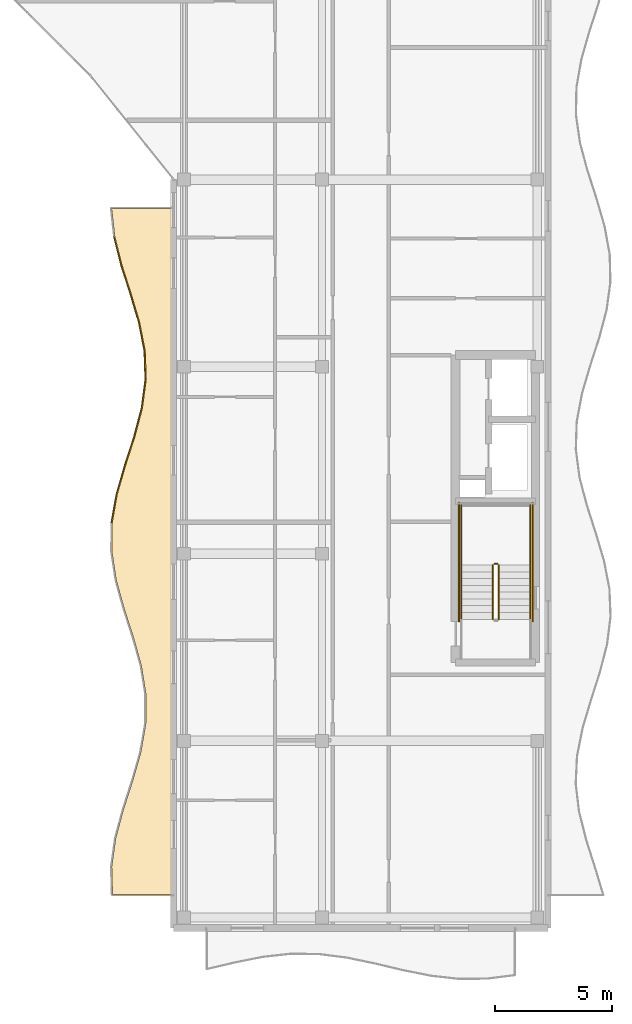
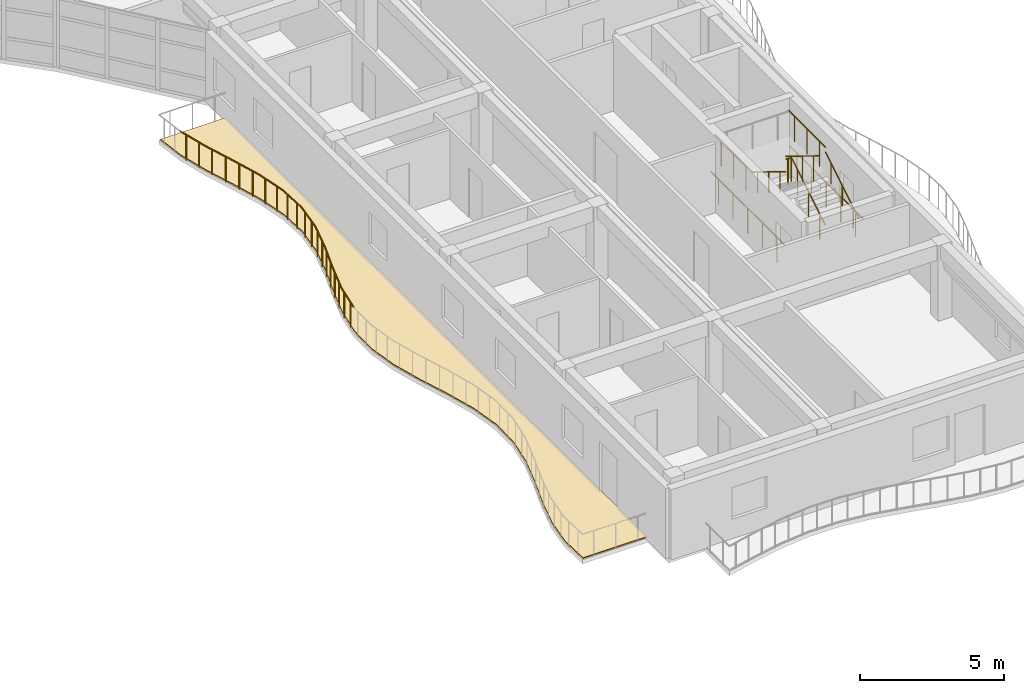
# One storey, part 63 of 68: 19 railings, 1 covering.
"""IFC4 building model written with IfcOpenShell, lengths in metres."""

from ifc_helpers import new_model, si_unit, direction, frame, origin, origin_2d, place, context, subcontext, project, spatial, polyline, circle, outline, extrude, material, layer, layer_set, type_object, element, save


model = new_model("IFC4")

# Units and contexts
model_context = context("Model", 3, precision=1e-05, world=origin(), true_north=direction((0.0, 1.0)))
body_context = subcontext(model_context, "Body", "Model", "MODEL_VIEW")
ifc_project = project(units=[si_unit("LENGTHUNIT", "METRE"), si_unit("AREAUNIT", "SQUARE_METRE"), si_unit("VOLUMEUNIT", "CUBIC_METRE"), si_unit("PLANEANGLEUNIT", "RADIAN"), si_unit("MASSUNIT", "GRAM", prefix="KILO")], contexts=[model_context])

# Site, building, storey
site_placement = place(None, origin())
site = spatial("IfcSite", under=ifc_project, at=site_placement, CompositionType="ELEMENT")
building_placement = place(site_placement, origin())
building = spatial("IfcBuilding", under=site, at=building_placement, Name="Keldmere Railside Commons", CompositionType="ELEMENT")
storey_placement = place(building_placement, frame((0.0, 0.0, 23.360107421875)))
storey = spatial("IfcBuildingStorey", under=building, at=storey_placement, Name="L07", CompositionType="ELEMENT", Elevation=23.360107421875)

# Railings
ifc_material_1 = material(Name="Steel F-24 (S235)", Category="steel")
railing_type_1 = type_object("IfcRailingType", Name="Balcony & Terrace Steel Balustrade 1100", PredefinedType="BALUSTRADE", material=ifc_material_1)
railing_1_placement = place(storey_placement, frame((165.336181640625, 73.324951171875, 0.0)))
element("IfcRailing", 1, at=railing_1_placement, inside=storey, type_object=railing_type_1, Name="GR-1 GRD-L07-3999", PredefinedType="BALUSTRADE", context=body_context, shape_type="SweptSolid", body=[
    extrude(circle(Radius=0.02392578125, at=origin_2d()), frame((0.0, 0.0, 1.076171875), z_axis=(0.174065199888, 0.984734129696, 0.0), x_axis=(-0.984734129696, 0.174065199888, 0.0)), (0.0, 0.0, 1.0), 1.244140625),
    extrude(circle(Radius=0.02099609375, at=origin_2d()), frame((0.05419921875, 0.30615234375, 0.0)), (0.0, 0.0, 1.0), 1.048095703125),
    extrude(circle(Radius=0.02099609375, at=origin_2d()), frame((0.162353515625, 0.9189453125, 0.0)), (0.0, 0.0, 1.0), 1.048095703125),
])
railing_2_placement = place(storey_placement, frame((165.552734375, 74.550048828125, 0.0)))
element("IfcRailing", 2, at=railing_2_placement, inside=storey, type_object=railing_type_1, Name="GR-1 GRD-L07-4000", PredefinedType="BALUSTRADE", context=body_context, shape_type="SweptSolid", body=[
    extrude(circle(Radius=0.02392578125, at=origin_2d()), frame((0.0, 0.0, 1.076171875), z_axis=(0.278713379185, 0.96037432924, 0.0), x_axis=(-0.96037432924, 0.278713379185, 0.0)), (0.0, 0.0, 1.0), 1.275390625),
    extrude(circle(Radius=0.02099609375, at=origin_2d()), frame((0.0888671875, 0.30615234375, 0.0)), (0.0, 0.0, 1.0), 1.048095703125),
    extrude(circle(Radius=0.02099609375, at=origin_2d()), frame((0.2666015625, 0.918701171875, 0.0)), (0.0, 0.0, 1.0), 1.048095703125),
])
railing_3_placement = place(storey_placement, frame((165.908203125, 75.77490234375, 0.0)))
element("IfcRailing", 3, at=railing_3_placement, inside=storey, type_object=railing_type_1, Name="GR-1 GRD-L07-4001", PredefinedType="BALUSTRADE", context=body_context, shape_type="SweptSolid", body=[
    extrude(circle(Radius=0.02392578125, at=origin_2d()), frame((0.0, 0.0, 1.076171875), z_axis=(0.306709041772, 0.951803321961, 0.0), x_axis=(-0.951803321961, 0.306709041772, 0.0)), (0.0, 0.0, 1.0), 1.287109375),
    extrude(circle(Radius=0.02099609375, at=origin_2d()), frame((0.0986328125, 0.30615234375, 0.0)), (0.0, 0.0, 1.0), 1.048095703125),
    extrude(circle(Radius=0.02099609375, at=origin_2d()), frame((0.296142578125, 0.9189453125, 0.0)), (0.0, 0.0, 1.0), 1.048095703125),
])
railing_4_placement = place(storey_placement, frame((166.302978515625, 77.0, 0.0)))
element("IfcRailing", 4, at=railing_4_placement, inside=storey, type_object=railing_type_1, Name="GR-1 GRD-L07-4002", PredefinedType="BALUSTRADE", context=body_context, shape_type="SweptSolid", body=[
    extrude(circle(Radius=0.02392578125, at=origin_2d()), frame((0.0, 0.0, 1.076171875), z_axis=(0.256019635632, 0.96667158134, 0.0), x_axis=(-0.96667158134, 0.256019635632, 0.0)), (0.0, 0.0, 1.0), 1.267333984375),
    extrude(circle(Radius=0.02099609375, at=origin_2d()), frame((0.0810546875, 0.30615234375, 0.0)), (0.0, 0.0, 1.0), 1.048095703125),
    extrude(circle(Radius=0.02099609375, at=origin_2d()), frame((0.243408203125, 0.9189453125, 0.0)), (0.0, 0.0, 1.0), 1.048095703125),
])
railing_5_placement = place(storey_placement, frame((166.62744140625, 78.22509765625, 0.0)))
element("IfcRailing", 5, at=railing_5_placement, inside=storey, type_object=railing_type_1, Name="GR-1 GRD-L07-4003", PredefinedType="BALUSTRADE", context=body_context, shape_type="SweptSolid", body=[
    extrude(circle(Radius=0.02392578125, at=origin_2d()), frame((0.0, 0.0, 1.076171875), z_axis=(0.132176661574, 0.991226175066, 0.0), x_axis=(-0.991226175066, 0.132176661574, 0.0)), (0.0, 0.0, 1.0), 1.235595703125),
    extrude(circle(Radius=0.02099609375, at=origin_2d()), frame((0.040771484375, 0.30615234375, 0.0)), (0.0, 0.0, 1.0), 1.048095703125),
    extrude(circle(Radius=0.02099609375, at=origin_2d()), frame((0.12255859375, 0.918701171875, 0.0)), (0.0, 0.0, 1.0), 1.048095703125),
])
railing_6_placement = place(storey_placement, frame((166.790771484375, 79.449951171875, 0.0)))
element("IfcRailing", 6, at=railing_6_placement, inside=storey, type_object=railing_type_1, Name="GR-1 GRD-L07-4004", PredefinedType="BALUSTRADE", context=body_context, shape_type="SweptSolid", body=[
    extrude(circle(Radius=0.02392578125, at=origin_2d()), frame((0.0, 0.0, 1.076171875), z_axis=(-0.035450003645, 0.999371451084, 0.0), x_axis=(-0.999371451084, -0.035450003645, 0.0)), (0.0, 0.0, 1.0), 1.225830078125),
    extrude(circle(Radius=0.02099609375, at=origin_2d()), frame((-0.0107421875, 0.30615234375, 0.0)), (0.0, 0.0, 1.0), 1.048095703125),
    extrude(circle(Radius=0.02099609375, at=origin_2d()), frame((-0.03271484375, 0.9189453125, 0.0)), (0.0, 0.0, 1.0), 1.048095703125),
])
railing_7_placement = place(storey_placement, frame((166.747314453125, 80.675048828125, 0.0)))
element("IfcRailing", 7, at=railing_7_placement, inside=storey, type_object=railing_type_1, Name="GR-1 GRD-L07-4005", PredefinedType="BALUSTRADE", context=body_context, shape_type="SweptSolid", body=[
    extrude(circle(Radius=0.02392578125, at=origin_2d()), frame((0.0, 0.0, 1.076171875), z_axis=(-0.190581602845, 0.981671356747, 0.0), x_axis=(-0.981671356747, -0.190581602845, 0.0)), (0.0, 0.0, 1.0), 1.247802734375),
    extrude(circle(Radius=0.02099609375, at=origin_2d()), frame((-0.0595703125, 0.30615234375, 0.0)), (0.0, 0.0, 1.0), 1.048095703125),
    extrude(circle(Radius=0.02099609375, at=origin_2d()), frame((-0.17822265625, 0.918701171875, 0.0)), (0.0, 0.0, 1.0), 1.048095703125),
])
railing_8_placement = place(storey_placement, frame((166.509521484375, 81.89990234375, 0.0)))
element("IfcRailing", 8, at=railing_8_placement, inside=storey, type_object=railing_type_1, Name="GR-1 GRD-L07-4006", PredefinedType="BALUSTRADE", context=body_context, shape_type="SweptSolid", body=[
    extrude(circle(Radius=0.02392578125, at=origin_2d()), frame((0.0, 0.0, 1.076171875), z_axis=(-0.286401831139, 0.958109592437, 0.0), x_axis=(-0.958109592437, -0.286401831139, 0.0)), (0.0, 0.0, 1.0), 1.278564453125),
    extrude(circle(Radius=0.02099609375, at=origin_2d()), frame((-0.091552734375, 0.30615234375, 0.0)), (0.0, 0.0, 1.0), 1.048095703125),
    extrude(circle(Radius=0.02099609375, at=origin_2d()), frame((-0.274658203125, 0.9189453125, 0.0)), (0.0, 0.0, 1.0), 1.048095703125),
])
railing_9_placement = place(storey_placement, frame((166.143310546875, 83.125, 0.0)))
element("IfcRailing", 9, at=railing_9_placement, inside=storey, type_object=railing_type_1, Name="GR-1 GRD-L07-4007", PredefinedType="BALUSTRADE", context=body_context, shape_type="SweptSolid", body=[
    extrude(circle(Radius=0.02392578125, at=origin_2d()), frame((0.0, 0.0, 1.076171875), z_axis=(-0.304817047334, 0.952410923738, 0.0), x_axis=(-0.952410923738, -0.304817047334, 0.0)), (0.0, 0.0, 1.0), 1.286376953125),
    extrude(circle(Radius=0.02099609375, at=origin_2d()), frame((-0.09814453125, 0.30615234375, 0.0)), (0.0, 0.0, 1.0), 1.048095703125),
    extrude(circle(Radius=0.02099609375, at=origin_2d()), frame((-0.2939453125, 0.9189453125, 0.0)), (0.0, 0.0, 1.0), 1.048095703125),
])
railing_10_placement = place(storey_placement, frame((165.751220703125, 84.35009765625, 0.0)))
element("IfcRailing", 10, at=railing_10_placement, inside=storey, type_object=railing_type_1, Name="GR-1 GRD-L07-4008", PredefinedType="BALUSTRADE", context=body_context, shape_type="SweptSolid", body=[
    extrude(circle(Radius=0.02392578125, at=origin_2d()), frame((0.0, 0.0, 1.076171875), z_axis=(-0.244490602401, 0.969651661855, 0.0), x_axis=(-0.969651661855, -0.244490602401, 0.0)), (0.0, 0.0, 1.0), 1.26318359375),
    extrude(circle(Radius=0.02099609375, at=origin_2d()), frame((-0.0771484375, 0.30615234375, 0.0)), (0.0, 0.0, 1.0), 1.048095703125),
    extrude(circle(Radius=0.02099609375, at=origin_2d()), frame((-0.231689453125, 0.918701171875, 0.0)), (0.0, 0.0, 1.0), 1.048095703125),
])
railing_type_2 = type_object("IfcRailingType", Name="Stair Well Steel Guardrail 1100", PredefinedType="BALUSTRADE", material=ifc_material_1)
railing_11_placement = place(storey_placement, frame((181.89990234375, 69.199951171875, 0.177734375)))
element("IfcRailing", 11, at=railing_11_placement, inside=storey, type_object=railing_type_2, Name="L07 ST-A1 stair guard 1", PredefinedType="BALUSTRADE", context=body_context, shape_type="SweptSolid", body=[
    extrude(circle(Radius=0.02392578125, at=origin_2d()), frame((0.0, 0.0, 1.076171875), z_axis=(0.0, 0.852578041948, 0.522599925744), x_axis=(-1.0, 0.0, 0.0)), (0.0, 0.0, 1.0), 2.72119140625),
    extrude(circle(Radius=0.02099609375, at=origin_2d()), frame((0.0, 0.38671875, 0.237060546875)), (0.0, 0.0, 1.0), 1.048095703125),
    extrude(circle(Radius=0.02099609375, at=origin_2d()), frame((0.0, 1.16015625, 0.7109375)), (0.0, 0.0, 1.0), 1.048095703125),
    extrude(circle(Radius=0.02099609375, at=origin_2d()), frame((0.0, 1.933349609375, 1.18505859375)), (0.0, 0.0, 1.0), 1.048095703125),
])
railing_12_placement = place(storey_placement, frame((181.85009765625, 71.570068359375, 1.599853515625)))
element("IfcRailing", 12, at=railing_12_placement, inside=storey, type_object=railing_type_2, Name="L07 ST-A1 stair guard 2", PredefinedType="BALUSTRADE", context=body_context, shape_type="SweptSolid", body=[
    extrude(circle(Radius=0.02392578125, at=origin_2d()), frame((0.0, 0.0, 1.076171875), z_axis=(-1.0, 0.0, 0.0), x_axis=(0.0, -1.0, 0.0)), (0.0, 0.0, 1.0), 0.150146484375),
    extrude(circle(Radius=0.02099609375, at=origin_2d()), frame((-0.0751953125, 0.0, 0.0)), (0.0, 0.0, 1.0), 1.048095703125),
])
for number, where, name in (
    (13, (183.25, 71.52001953125, 1.599853515625), "L07 ST-A1 stair guard 3"),
    (14, (180.300048828125, 71.52001953125, 1.599853515625), "L07 ST-A1 stair guard 4"),
):
    element("IfcRailing", number, at=place(storey_placement, frame(where)), inside=storey, type_object=railing_type_2, Name=name, PredefinedType="BALUSTRADE", context=body_context, shape_type="SweptSolid", body=[
        extrude(circle(Radius=0.02392578125, at=origin_2d()), frame((0.0, 0.0, 1.076171875), z_axis=(0.0, 1.0, 0.0), x_axis=(-1.0, 0.0, 0.0)), (0.0, 0.0, 1.0), 2.580078125),
        extrude(circle(Radius=0.02099609375, at=origin_2d()), frame((0.0, 0.429931640625, 0.0)), (0.0, 0.0, 1.0), 1.048095703125),
        extrude(circle(Radius=0.02099609375, at=origin_2d()), frame((0.0, 1.2900390625, 0.0)), (0.0, 0.0, 1.0), 1.048095703125),
        extrude(circle(Radius=0.02099609375, at=origin_2d()), frame((0.0, 2.150146484375, 0.0)), (0.0, 0.0, 1.0), 1.048095703125),
    ])
railing_13_placement = place(storey_placement, frame((181.64990234375, 71.52001953125, 1.777587890625)))
element("IfcRailing", 15, at=railing_13_placement, inside=storey, type_object=railing_type_2, Name="L07 ST-A1 stair guard 6", PredefinedType="BALUSTRADE", context=body_context, shape_type="SweptSolid", body=[
    extrude(circle(Radius=0.02392578125, at=origin_2d()), frame((0.0, 0.0, 1.076171875), z_axis=(0.0, -0.852538067394, 0.522665135287), x_axis=(1.0, 0.0, 0.0)), (0.0, 0.0, 1.0), 2.721435546875),
    extrude(circle(Radius=0.02099609375, at=origin_2d()), frame((0.0, -0.38671875, 0.237060546875)), (0.0, 0.0, 1.0), 1.048095703125),
    extrude(circle(Radius=0.02099609375, at=origin_2d()), frame((0.0, -1.16015625, 0.711181640625)), (0.0, 0.0, 1.0), 1.048095703125),
    extrude(circle(Radius=0.02099609375, at=origin_2d()), frame((0.0, -1.933349609375, 1.185302734375)), (0.0, 0.0, 1.0), 1.048095703125),
])
for number, where, name in (
    (16, (183.35009765625, 69.10009765625, 0.0), "L07 ST-A1 stair guard 10"),
    (17, (180.199951171875, 69.10009765625, 0.0), "L07 ST-A1 stair guard 11"),
):
    element("IfcRailing", number, at=place(storey_placement, frame(where)), inside=storey, type_object=railing_type_2, Name=name, PredefinedType="BALUSTRADE", context=body_context, shape_type="SweptSolid", body=[
        extrude(circle(Radius=0.02392578125, at=origin_2d()), frame((0.0, 0.0, 1.076171875), z_axis=(0.0, 1.0, 0.0), x_axis=(-1.0, 0.0, 0.0)), (0.0, 0.0, 1.0), 5.099853515625),
        extrude(circle(Radius=0.02099609375, at=origin_2d()), frame((0.0, 0.510009765625, 0.0)), (0.0, 0.0, 1.0), 1.048095703125),
        extrude(circle(Radius=0.02099609375, at=origin_2d()), frame((0.0, 1.530029296875, 0.0)), (0.0, 0.0, 1.0), 1.048095703125),
        extrude(circle(Radius=0.02099609375, at=origin_2d()), frame((0.0, 2.5498046875, 0.0)), (0.0, 0.0, 1.0), 1.048095703125),
        extrude(circle(Radius=0.02099609375, at=origin_2d()), frame((0.0, 3.56982421875, 0.0)), (0.0, 0.0, 1.0), 1.048095703125),
        extrude(circle(Radius=0.02099609375, at=origin_2d()), frame((0.0, 4.58984375, 0.0)), (0.0, 0.0, 1.0), 1.048095703125),
    ])
railing_type_3 = type_object("IfcRailingType", Name="Wall-Mounted Tubular Steel Handrail 900", PredefinedType="HANDRAIL", material=ifc_material_1)
railing_14_placement = place(storey_placement, frame((183.25, 69.199951171875, 0.177734375)))
element("IfcRailing", 18, at=railing_14_placement, inside=storey, type_object=railing_type_3, Name="L07 ST-A1 stair handrail 1", PredefinedType="HANDRAIL", context=body_context, shape_type="SweptSolid", body=[
    extrude(circle(Radius=0.02392578125, at=origin_2d()), frame((0.0, 0.0, 0.8759765625), z_axis=(0.0, 0.852578041948, 0.522599925744), x_axis=(-1.0, 0.0, 0.0)), (0.0, 0.0, 1.0), 2.72119140625),
    extrude(circle(Radius=0.02099609375, at=origin_2d()), frame((0.0, 0.38671875, 0.237060546875)), (0.0, 0.0, 1.0), 0.847900390625),
    extrude(circle(Radius=0.02099609375, at=origin_2d()), frame((0.0, 1.16015625, 0.7109375)), (0.0, 0.0, 1.0), 0.847900390625),
    extrude(circle(Radius=0.02099609375, at=origin_2d()), frame((0.0, 1.933349609375, 1.18505859375)), (0.0, 0.0, 1.0), 0.847900390625),
])
railing_15_placement = place(storey_placement, frame((180.300048828125, 71.52001953125, 1.777587890625)))
element("IfcRailing", 19, at=railing_15_placement, inside=storey, type_object=railing_type_3, Name="L07 ST-A1 stair handrail 2", PredefinedType="HANDRAIL", context=body_context, shape_type="SweptSolid", body=[
    extrude(circle(Radius=0.02392578125, at=origin_2d()), frame((0.0, 0.0, 0.8759765625), z_axis=(0.0, -0.852538067394, 0.522665135287), x_axis=(1.0, 0.0, 0.0)), (0.0, 0.0, 1.0), 2.721435546875),
    extrude(circle(Radius=0.02099609375, at=origin_2d()), frame((0.0, -0.38671875, 0.237060546875)), (0.0, 0.0, 1.0), 0.847900390625),
    extrude(circle(Radius=0.02099609375, at=origin_2d()), frame((0.0, -1.16015625, 0.711181640625)), (0.0, 0.0, 1.0), 0.847900390625),
    extrude(circle(Radius=0.02099609375, at=origin_2d()), frame((0.0, -1.933349609375, 1.185302734375)), (0.0, 0.0, 1.0), 0.847900390625),
])

# Covering
ifc_material_2 = material(Name="White Precast Concrete C35/45", Category="concrete")
ifc_layer = layer(ifc_material_2, 0.044921875, Name="White Architectural Balcony Ribbon Cladding 45")
ifc_layer_set = layer_set([ifc_layer], Name="White Precast Concrete C35/45")
covering_type = type_object("IfcCoveringType", Name="White Architectural Balcony Ribbon Cladding 45", PredefinedType="FLOORING", material=ifc_layer_set)
covering_placement = place(storey_placement, origin())
element("IfcCovering", 20, at=covering_placement, inside=storey, type_object=covering_type, Name="CLG-WB A L07 CW White Balcony Ribbon", PredefinedType="FLOORING", context=body_context, shape_type="SweptSolid", body=[
    extrude(outline(polyline([(167.9599609375, 86.760009765625), (165.347900390625, 86.760009765625), (165.48193359375, 85.582275390625), (165.789794921875, 84.361083984375), (166.181396484375, 83.13720703125), (166.181640625, 83.136474609375), (166.5478515625, 81.91162109375), (166.548828125, 81.90771484375), (166.78662109375, 80.6826171875), (166.787109375, 80.679443359375), (166.787353515625, 80.676513671875), (166.830810546875, 79.451416015625), (166.830810546875, 79.447998046875), (166.830322265625, 79.444580078125), (166.6669921875, 78.2197265625), (166.666015625, 78.21484375), (166.341796875, 76.98974609375), (166.341064453125, 76.98779296875), (165.9462890625, 75.76318359375), (165.591796875, 74.541015625), (165.3759765625, 73.3212890625), (165.358642578125, 72.102783203125), (165.544189453125, 70.88330078125), (165.882080078125, 69.66162109375), (166.27783203125, 68.437255859375), (166.2783203125, 68.435791015625), (166.621337890625, 67.210693359375), (166.622314453125, 67.206298828125), (166.81689453125, 65.981201171875), (166.8173828125, 65.97802734375), (166.8173828125, 65.974609375), (166.80908203125, 64.749755859375), (166.808837890625, 64.74658203125), (166.808349609375, 64.743408203125), (166.599365234375, 63.518310546875), (166.598388671875, 63.513916015625), (166.247314453125, 62.2890625), (166.246826171875, 62.28759765625), (165.8515625, 61.063720703125), (165.52294921875, 59.842041015625), (165.352294921875, 58.622802734375), (165.385498046875, 57.43994140625), (167.9599609375, 57.43994140625), (167.9599609375, 86.760009765625)])), origin(), (0.0, 0.0, 1.0), 0.044921875),
])

save(model, "model.ifc")
